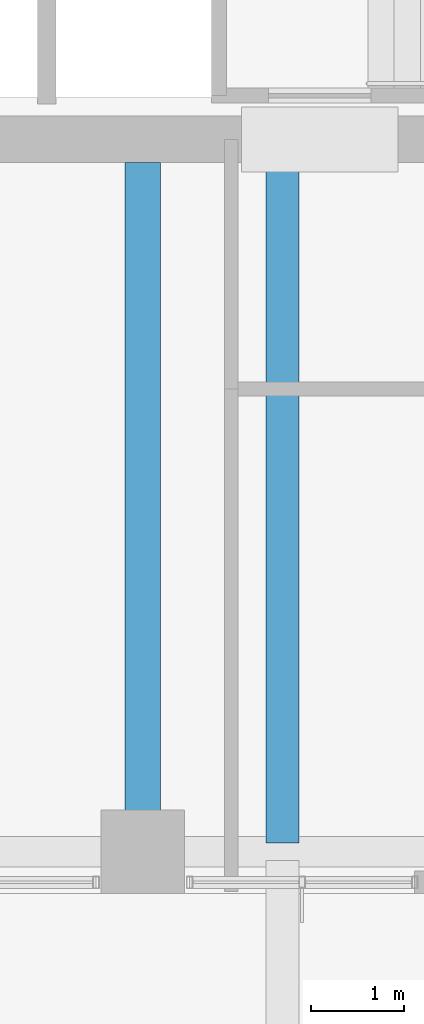
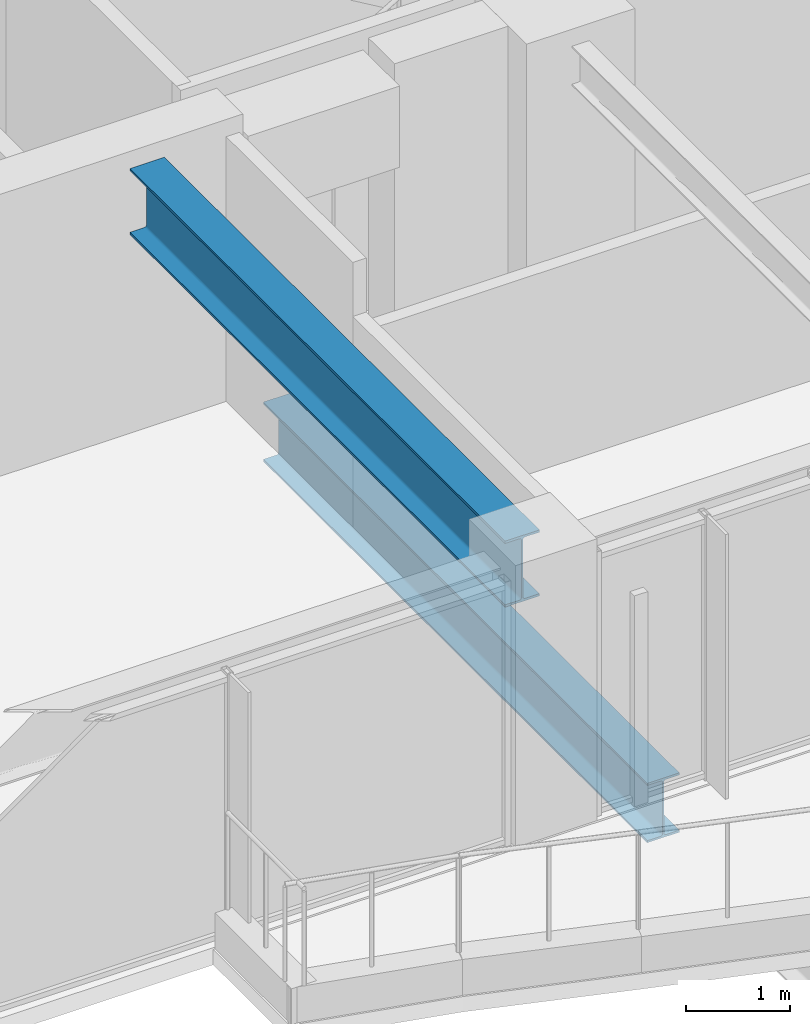
# One storey, part 4 of 31: 2 beams.
"""IFC4 building model written with IfcOpenShell, lengths in metres."""

from ifc_helpers import new_model, si_unit, direction, frame, origin, origin_2d, place, context, subcontext, project, spatial, i_section, extrude, material, material_profile, profile_set, type_object, element, save


model = new_model("IFC4")

# Units and contexts
model_context = context("Model", 3, precision=1e-05, world=origin(), true_north=direction((0.0, 1.0)))
body_context = subcontext(model_context, "Body", "Model", "MODEL_VIEW")
ifc_project = project(units=[si_unit("LENGTHUNIT", "METRE"), si_unit("AREAUNIT", "SQUARE_METRE"), si_unit("VOLUMEUNIT", "CUBIC_METRE"), si_unit("PLANEANGLEUNIT", "RADIAN"), si_unit("MASSUNIT", "GRAM", prefix="KILO")], contexts=[model_context])

# Site, building, storey
site_placement = place(None, origin())
site = spatial("IfcSite", under=ifc_project, at=site_placement, CompositionType="ELEMENT")
building_placement = place(site_placement, origin())
building = spatial("IfcBuilding", under=site, at=building_placement, Name="Kolvaren Belvedere", CompositionType="ELEMENT")
storey_placement = place(building_placement, frame((0.0, 0.0, 138.199951171875)))
storey = spatial("IfcBuildingStorey", under=building, at=storey_placement, Name="L40", CompositionType="ELEMENT", Elevation=138.199951171875)

# Beams
ifc_material_1 = material(Name="Structural steel ASTM A992 Grade 50", Category="steel")
ifc_material_profile_1 = material_profile(ifc_material_1, i_section(OverallWidth=0.35498046875, OverallDepth=0.696044921875, WebThickness=0.015380859375, FlangeThickness=0.02490234375, FilletRadius=0.02197265625, at=origin_2d()), Name="W27X146")
ifc_profile_set_1 = profile_set([ifc_material_profile_1], Name="Structural steel ASTM A992 Grade 50")
beam_type_1 = type_object("IfcBeamType", Name="BM-GIRD-W27X146", PredefinedType="BEAM", material=ifc_profile_set_1)
beam_1_placement = place(storey_placement, frame((-3.10009765625, -10.090087890625, -0.5478515625), z_axis=(0.0, -1.0, 0.0), x_axis=(1.0, 0.0, 0.0)))
element("IfcBeam", 1, at=beam_1_placement, inside=storey, type_object=beam_type_1, Name="L40 Balcony Interior Back-Span Girder BAL-S-1", PredefinedType="BEAM", context=body_context, shape_type="SweptSolid", body=[
    extrude(i_section(OverallWidth=0.35498046875, OverallDepth=0.696044921875, WebThickness=0.015380859375, FlangeThickness=0.02490234375, FilletRadius=0.02197265625, at=origin_2d()), origin(), (0.0, 0.0, 1.0), 7.364990234375),
])
ifc_material_2 = material(Name="Structural steel ASTM A992 Grade 50", Category="steel")
ifc_material_profile_2 = material_profile(ifc_material_2, i_section(OverallWidth=0.381103515625, OverallDepth=0.77294921875, WebThickness=0.0166015625, FlangeThickness=0.027099609375, FilletRadius=0.02392578125, at=origin_2d()), Name="W30X173")
ifc_profile_set_2 = profile_set([ifc_material_profile_2], Name="Structural steel ASTM A992 Grade 50")
beam_type_2 = type_object("IfcBeamType", Name="BM-GIRD-W30X173", PredefinedType="BEAM", material=ifc_profile_set_2)
beam_2_placement = place(storey_placement, frame((-4.60009765625, -10.14990234375, 2.713623046875), z_axis=(0.0, -1.0, 0.0), x_axis=(1.0, 0.0, 0.0)))
element("IfcBeam", 2, at=beam_2_placement, inside=storey, type_object=beam_type_2, Name="L40 South Radial Girder M", PredefinedType="BEAM", context=body_context, shape_type="SweptSolid", body=[
    extrude(i_section(OverallWidth=0.381103515625, OverallDepth=0.77294921875, WebThickness=0.0166015625, FlangeThickness=0.027099609375, FilletRadius=0.02392578125, at=origin_2d()), origin(), (0.0, 0.0, 1.0), 7.197509765625),
])

save(model, "model.ifc")
